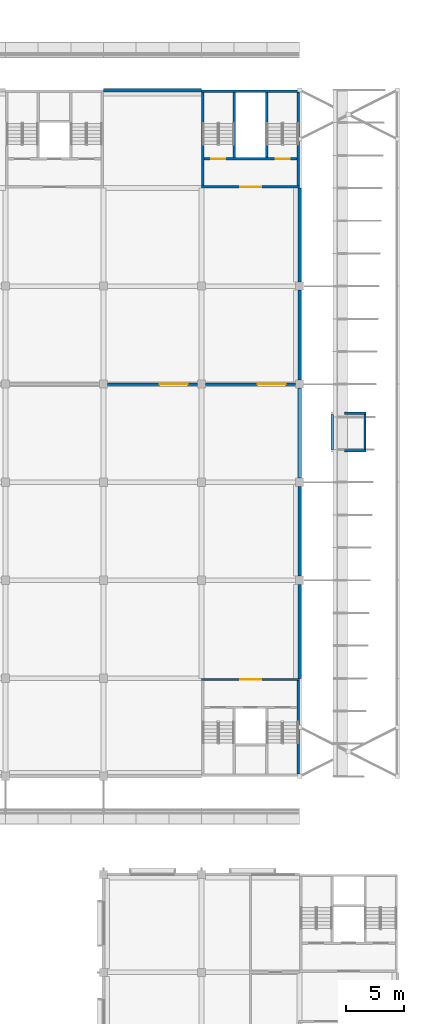
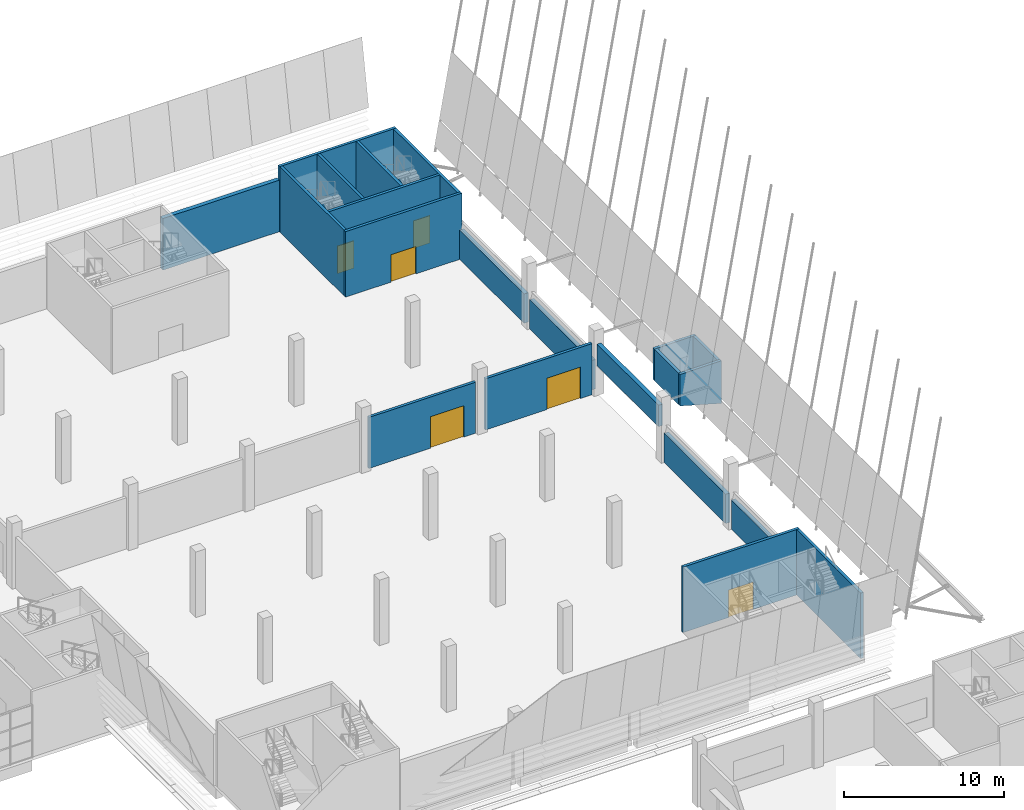
# One storey, part 28 of 82: 21 walls, 6 doors, 6 openings.
"""IFC4 building model written with IfcOpenShell, lengths in metres."""

import ifcopenshell
import ifcopenshell.guid

model = None  # the IFC model being written
_history = None  # IfcOwnerHistory: only IFC2X3 demands one
_inside = {}  # id of a spatial element -> (the spatial element, [elements in it])
_under = {}  # id of a project, library or spatial element -> (it, [spatial elements below it])
_declared = {}  # id of a project -> (the project, [libraries it declares])
_typed = {}  # id of a type object -> (the type object, [elements of that type])
_made_of = {}  # id of a material, layer set ... -> (it, [elements and type objects made of it])


def new_model(schema):
    """Start an empty IFC model of exactly this schema.

    Asked for "IFC4X3", IfcOpenShell would pick the latest addendum, in which some entities
    have other attributes; the version numbers below select the first issue.
    IFC2X3 requires an IfcOwnerHistory on every rooted entity: one is made here for all.
    """
    global model, _history
    if schema == "IFC4X3":
        model = ifcopenshell.file(schema_version=(4, 3, 0, 0))
    else:
        model = ifcopenshell.file(schema=schema)
    _inside.clear()
    _under.clear()
    _declared.clear()
    _typed.clear()
    _made_of.clear()
    _history = None
    if model.schema == "IFC2X3":
        org = make("IfcOrganization", Name="unknown")
        user = make(
            "IfcPersonAndOrganization",
            ThePerson=make("IfcPerson", FamilyName="unknown"),
            TheOrganization=org,
        )
        app = make(
            "IfcApplication",
            ApplicationDeveloper=org,
            Version="unknown",
            ApplicationFullName="unknown",
            ApplicationIdentifier="unknown",
        )
        _history = make(
            "IfcOwnerHistory",
            OwningUser=user,
            OwningApplication=app,
            ChangeAction="ADDED",
            CreationDate=0,
        )
    return model


def make(cls, **values):
    """One entity of the class cls with the attributes given. An attribute that is None is left unset."""
    return model.create_entity(
        cls, **{name: value for name, value in values.items() if value is not None}
    )


def rooted(cls, **values):
    """An entity with a GlobalId (a new one), such as an element, a storey or a relation."""
    return make(cls, GlobalId=ifcopenshell.guid.new(), OwnerHistory=_history, **values)


def si_unit(unit_type, name, prefix=None):
    """IfcSIUnit, for example si_unit("LENGTHUNIT", "METRE", prefix="MILLI")."""
    return make("IfcSIUnit", UnitType=unit_type, Prefix=prefix, Name=name)


def assignment(units):
    """IfcUnitAssignment: the units of a project."""
    return None if units is None else make("IfcUnitAssignment", Units=units)


def point(xyz):
    """IfcCartesianPoint."""
    return None if xyz is None else make("IfcCartesianPoint", Coordinates=xyz)


def direction(xyz):
    """IfcDirection."""
    return None if xyz is None else make("IfcDirection", DirectionRatios=xyz)


def frame(location, z_axis=None, x_axis=None):
    """IfcAxis2Placement3D, a coordinate frame: its origin and axes. An axis left out is left unset."""
    return make(
        "IfcAxis2Placement3D",
        Location=point(location),
        Axis=direction(z_axis),
        RefDirection=direction(x_axis),
    )


def frame_2d(location, x_axis=None):
    """IfcAxis2Placement2D, a coordinate frame in the plane: its origin and x axis."""
    return make(
        "IfcAxis2Placement2D", Location=point(location), RefDirection=direction(x_axis)
    )


def origin():
    """The frame at (0, 0, 0) with its axes left unset."""
    return frame((0.0, 0.0, 0.0))


def place(relative_to, where):
    """IfcLocalPlacement: puts the frame where relative to a parent placement (None: the world)."""
    return make(
        "IfcLocalPlacement", PlacementRelTo=relative_to, RelativePlacement=where
    )


def context(
    kind, dimensions, precision=None, world=None, true_north=None, identifier=None
):
    """IfcGeometricRepresentationContext, for example the 3D "Model" context."""
    return make(
        "IfcGeometricRepresentationContext",
        ContextIdentifier=identifier,
        ContextType=kind,
        CoordinateSpaceDimension=dimensions,
        Precision=precision,
        WorldCoordinateSystem=world,
        TrueNorth=true_north,
    )


def subcontext(parent, identifier, kind, view, scale=None):
    """IfcGeometricRepresentationSubContext, for example "Body" below "Model"."""
    return make(
        "IfcGeometricRepresentationSubContext",
        ContextIdentifier=identifier,
        ContextType=kind,
        ParentContext=parent,
        TargetScale=scale,
        TargetView=view,
    )


def project(units=None, contexts=None):
    """IfcProject with its units and contexts."""
    return rooted(
        "IfcProject",
        Name="project",
        RepresentationContexts=contexts,
        UnitsInContext=assignment(units),
    )


def spatial(cls, under=None, at=None, **own):
    """A site, building, storey or space (cls), placed at a placement, below another one or the project."""
    s = rooted(cls, ObjectPlacement=at, **own)
    if under is not None:
        _under.setdefault(under.id(), (under, []))[1].append(s)
    return s


def polyline(points):
    """IfcPolyline through the points."""
    return make("IfcPolyline", Points=[point(p) for p in points])


def profile(cls, at=None, kind="AREA", **sizes):
    """A parametric profile (cls). Its sizes go by their IFC names, for example OverallWidth=200.0."""
    return make(cls, ProfileType=kind, Position=at, **sizes)


def rectangle(**sizes):
    """IfcRectangleProfileDef."""
    return profile("IfcRectangleProfileDef", **sizes)


def outline(outer, holes=None, kind="AREA"):
    """IfcArbitraryClosedProfileDef: a profile drawn as a closed curve; with holes, ...WithVoids."""
    if holes is None:
        return make("IfcArbitraryClosedProfileDef", ProfileType=kind, OuterCurve=outer)
    return make(
        "IfcArbitraryProfileDefWithVoids",
        ProfileType=kind,
        OuterCurve=outer,
        InnerCurves=holes,
    )


def extrude(swept, where, along, depth):
    """IfcExtrudedAreaSolid: the profile swept, set in the frame where, extruded along a direction by depth."""
    return make(
        "IfcExtrudedAreaSolid",
        SweptArea=swept,
        Position=where,
        ExtrudedDirection=direction(along),
        Depth=depth,
    )


def shape(context_of_items, identifier, shape_type, items):
    """IfcShapeRepresentation: the items that make up one representation, for example the "Body"."""
    return make(
        "IfcShapeRepresentation",
        ContextOfItems=context_of_items,
        RepresentationIdentifier=identifier,
        RepresentationType=shape_type,
        Items=items,
    )


def material(Name=None, Category=None):
    """IfcMaterial."""
    return make("IfcMaterial", Name=Name, Category=Category)


def layer(
    of_material, thickness, ventilated=None, Name=None, Category=None, Priority=None
):
    """IfcMaterialLayer: one layer of a wall or slab, of a material (None: an air gap)."""
    return make(
        "IfcMaterialLayer",
        Material=of_material,
        LayerThickness=thickness,
        IsVentilated=ventilated,
        Name=Name,
        Category=Category,
        Priority=Priority,
    )


def layer_set(layers, Name=None):
    """IfcMaterialLayerSet."""
    return make("IfcMaterialLayerSet", MaterialLayers=layers, LayerSetName=Name)


def made_of(thing, what):
    """Note that an element or type object is made of a material, layer set ...; save() writes the relation."""
    if what is not None:
        _made_of.setdefault(what.id(), (what, []))[1].append(thing)
    return thing


def type_object(cls, material=None, **own):
    """A type object (cls), such as IfcWallType, which elements share."""
    return made_of(rooted(cls, **own), material)


def element(
    cls,
    number,
    at=None,
    inside=None,
    cuts=None,
    type_object=None,
    material=None,
    context=None,
    identifier="Body",
    shape_type=None,
    held_by="IfcProductDefinitionShape",
    body=None,
    shapes=None,
    **own,
):
    """One element of the class cls, such as IfcWall. Its Tag is "e" and its number.

    at: its placement. inside: the storey or other place that contains it. cuts: it is an
    opening in that element (IfcRelVoidsElement). A single representation is given by context,
    identifier, shape_type and body (its items); several are given by shapes. held_by: the class
    of the entity that holds the representations. save() writes the other relations.
    """
    e = rooted(cls, Tag="e%d" % number, ObjectPlacement=at, **own)
    if body is not None:
        shapes = [shape(context, identifier, shape_type, body)]
    if shapes is not None:
        e.Representation = make(held_by, Representations=shapes)
    if inside is not None:
        _inside.setdefault(inside.id(), (inside, []))[1].append(e)
    if cuts is not None:
        rooted(
            "IfcRelVoidsElement", RelatingBuildingElement=cuts, RelatedOpeningElement=e
        )
    if type_object is not None:
        _typed.setdefault(type_object.id(), (type_object, []))[1].append(e)
    return made_of(e, material)


def fill(opening, filler):
    """IfcRelFillsElement: the door or window that sits in an opening."""
    return rooted(
        "IfcRelFillsElement",
        RelatingOpeningElement=opening,
        RelatedBuildingElement=filler,
    )


def aggregate(whole, parts):
    """IfcRelAggregates: a whole, such as a stair, and the parts it consists of."""
    return rooted("IfcRelAggregates", RelatingObject=whole, RelatedObjects=parts)


def save(model, path):
    """Write the relations noted so far, then the file.

    IfcRelAggregates (storeys below a building ...), IfcRelContainedInSpatialStructure (elements
    in a storey), IfcRelDefinesByType, IfcRelAssociatesMaterial and IfcRelDeclares: one each for
    every whole, place, type object, material and project.
    """
    for whole, parts in _under.values():
        aggregate(whole, parts)
    for where, things in _inside.values():
        rooted(
            "IfcRelContainedInSpatialStructure",
            RelatedElements=things,
            RelatingStructure=where,
        )
    for kind, things in _typed.values():
        rooted("IfcRelDefinesByType", RelatedObjects=things, RelatingType=kind)
    for what, things in _made_of.values():
        rooted("IfcRelAssociatesMaterial", RelatedObjects=things, RelatingMaterial=what)
    for by, libraries in _declared.values():
        rooted("IfcRelDeclares", RelatingContext=by, RelatedDefinitions=libraries)
    model.write(path)


model = new_model("IFC4")

# Units and contexts
model_context = context("Model", 3, precision=1e-05, world=origin(), true_north=direction((0.0, 1.0)))
body_context = subcontext(model_context, "Body", "Model", "MODEL_VIEW")
ifc_project = project(units=[si_unit("LENGTHUNIT", "METRE"), si_unit("AREAUNIT", "SQUARE_METRE"), si_unit("VOLUMEUNIT", "CUBIC_METRE"), si_unit("PLANEANGLEUNIT", "RADIAN"), si_unit("MASSUNIT", "GRAM", prefix="KILO")], contexts=[model_context])

# Site, building, storey
site_placement = place(None, origin())
site = spatial("IfcSite", under=ifc_project, at=site_placement, CompositionType="ELEMENT")
building_placement = place(site_placement, origin())
building = spatial("IfcBuilding", under=site, at=building_placement, Name="Almond Square Museum", CompositionType="ELEMENT")
storey_placement = place(building_placement, frame((0.0, 0.0, 20.0)))
storey = spatial("IfcBuildingStorey", under=building, at=storey_placement, Name="L03", CompositionType="ELEMENT", Elevation=20.0)

# Walls
ifc_material_1 = material(Name="Concrete C30/37", Category="concrete")
ifc_layer_1 = layer(ifc_material_1, 0.300048828125)
ifc_layer_set_1 = layer_set([ifc_layer_1], Name="Concrete C30/37")
wall_type_1 = type_object("IfcWallType", Name="Cast concrete wall 300 C30/37 behind louvre skin", PredefinedType="SOLIDWALL", material=ifc_layer_set_1)
wall_1_placement = place(storey_placement, frame((148.800048828125, 58.800048828125, 0.0), z_axis=(0.0, 0.0, 1.0), x_axis=(0.0, 1.0, 0.0)))
element("IfcWall", 1, at=wall_1_placement, inside=storey, type_object=wall_type_1, Name="External wall W1 V1 L03 E01", PredefinedType="SOLIDWALL", context=body_context, shape_type="SweptSolid", body=[
    extrude(rectangle(XDim=8.050048828125, YDim=0.300048828125, at=frame_2d((4.02490234375, 0.0))), origin(), (0.0, 0.0, 1.0), 2.2421875),
])
wall_2_placement = place(storey_placement, frame((148.800048828125, 67.550048828125, 0.0), z_axis=(0.0, 0.0, 1.0), x_axis=(0.0, 1.0, 0.0)))
element("IfcWall", 2, at=wall_2_placement, inside=storey, type_object=wall_type_1, Name="External wall W1 V1 L03 E02", PredefinedType="SOLIDWALL", context=body_context, shape_type="SweptSolid", body=[
    extrude(rectangle(XDim=7.699951171875, YDim=0.300048828125, at=frame_2d((3.85009765625, 0.0))), origin(), (0.0, 0.0, 1.0), 2.2421875),
])
wall_3_placement = place(storey_placement, frame((148.800048828125, 75.949951171875, 2.300048828125), z_axis=(0.0, 0.0, 1.0), x_axis=(0.0, 1.0, 0.0)))
element("IfcWall", 3, at=wall_3_placement, inside=storey, type_object=wall_type_1, Name="External wall W1 V1 L03 E03", PredefinedType="SOLIDWALL", context=body_context, shape_type="SweptSolid", body=[
    extrude(rectangle(XDim=7.699951171875, YDim=0.300048828125, at=frame_2d((3.85009765625, 0.0))), origin(), (0.0, 0.0, 1.0), 1.639892578125),
])
wall_4_placement = place(storey_placement, frame((148.800048828125, 84.35009765625, 0.0), z_axis=(0.0, 0.0, 1.0), x_axis=(0.0, 1.0, 0.0)))
element("IfcWall", 4, at=wall_4_placement, inside=storey, type_object=wall_type_1, Name="External wall W1 V1 L03 E04", PredefinedType="SOLIDWALL", context=body_context, shape_type="SweptSolid", body=[
    extrude(rectangle(XDim=7.699951171875, YDim=0.300048828125, at=frame_2d((3.85009765625, 0.0))), origin(), (0.0, 0.0, 1.0), 2.2421875),
])
wall_5_placement = place(storey_placement, frame((148.800048828125, 92.75, 0.0), z_axis=(0.0, 0.0, 1.0), x_axis=(0.0, 1.0, 0.0)))
element("IfcWall", 5, at=wall_5_placement, inside=storey, type_object=wall_type_1, Name="External wall W1 V1 L03 E05", PredefinedType="SOLIDWALL", context=body_context, shape_type="SweptSolid", body=[
    extrude(rectangle(XDim=8.050048828125, YDim=0.300048828125, at=frame_2d((4.02490234375, 0.0))), origin(), (0.0, 0.0, 1.0), 2.2421875),
])
wall_6_placement = place(storey_placement, frame((132.0, 109.199951171875, 0.0), z_axis=(0.0, 0.0, 1.0), x_axis=(1.0, 0.0, 0.0)))
element("IfcWall", 6, at=wall_6_placement, inside=storey, type_object=wall_type_1, Name="External wall W1 V1 L03 N01", PredefinedType="SOLIDWALL", context=body_context, shape_type="SweptSolid", body=[
    extrude(rectangle(XDim=8.39990234375, YDim=0.300048828125, at=frame_2d((4.199951171875, 0.0))), origin(), (0.0, 0.0, 1.0), 3.93994140625),
])

# Wall, opening, door
ifc_material_2 = material(Name="Painted gypsum board on steel stud", Category="steel")
ifc_layer_2 = layer(ifc_material_2, 0.199951171875)
ifc_layer_set_2 = layer_set([ifc_layer_2], Name="Painted gypsum board on steel stud")
wall_type_2 = type_object("IfcWallType", Name="Gallery wall 200 painted board on stud", PredefinedType="PARTITIONING", material=ifc_layer_set_2)
wall_7_placement = place(storey_placement, frame((132.35009765625, 84.0, 0.0), z_axis=(0.0, 0.0, 1.0), x_axis=(1.0, 0.0, 0.0)))
wall_7 = element("IfcWall", 7, at=wall_7_placement, inside=storey, type_object=wall_type_2, Name="L03 partition 16", PredefinedType="PARTITIONING", context=body_context, shape_type="SweptSolid", body=[
    extrude(rectangle(XDim=7.699951171875, YDim=0.199951171875, at=frame_2d((3.85009765625, 0.0))), origin(), (0.0, 0.0, 1.0), 3.89990234375),
])
opening_1_placement = place(wall_7_placement, frame((4.449951171875, 0.0, 0.0)))
opening_1 = element("IfcOpeningElement", 8, at=opening_1_placement, cuts=wall_7, Name="Opening D3133", PredefinedType="OPENING", context=body_context, shape_type="SweptSolid", body=[
    extrude(rectangle(XDim=2.39990234375, YDim=2.39990234375, at=frame_2d((1.199951171875, 1.199951171875))), frame((0.0, 0.10986328125, 0.0), z_axis=(0.0, -1.0, 0.0), x_axis=(1.0, 0.0, 0.0)), (0.0, 0.0, 1.0), 0.219970703125),
])
ifc_material_3 = material(Name="Timber", Category="wood")
door_type_1 = type_object("IfcDoorType", Name="Gallery door 2400 x 2400 timber double", OperationType="NOTDEFINED", PredefinedType="DOOR", material=ifc_material_3)
door_1_placement = place(opening_1_placement, origin())
door_1 = element("IfcDoor", 9, at=door_1_placement, inside=storey, type_object=door_type_1, Name="L03 door Contemporary Gallery to Design Gallery", OperationType="DOUBLE_DOOR_SINGLE_SWING", OverallHeight=2.39990234375, OverallWidth=2.39990234375, PredefinedType="DOOR", context=body_context, shape_type="SweptSolid", body=[
    extrude(rectangle(XDim=2.39990234375, YDim=2.39990234375, at=frame_2d((1.199951171875, 1.199951171875))), frame((0.0, 0.02490234375, 0.0), z_axis=(0.0, -1.0, 0.0), x_axis=(1.0, 0.0, 0.0)), (0.0, 0.0, 1.0), 0.050048828125),
])
fill(opening_1, door_1)

wall_8_placement = place(storey_placement, frame((140.75, 84.0, 0.0), z_axis=(0.0, 0.0, 1.0), x_axis=(1.0, 0.0, 0.0)))
wall_8 = element("IfcWall", 10, at=wall_8_placement, inside=storey, type_object=wall_type_2, Name="L03 partition 17", PredefinedType="PARTITIONING", context=body_context, shape_type="SweptSolid", body=[
    extrude(rectangle(XDim=7.699951171875, YDim=0.199951171875, at=frame_2d((3.85009765625, 0.0))), origin(), (0.0, 0.0, 1.0), 3.89990234375),
])
opening_2_placement = place(wall_8_placement, frame((4.449951171875, 0.0, 0.0)))
opening_2 = element("IfcOpeningElement", 11, at=opening_2_placement, cuts=wall_8, Name="Opening D3134", PredefinedType="OPENING", context=body_context, shape_type="SweptSolid", body=[
    extrude(rectangle(XDim=2.39990234375, YDim=2.39990234375, at=frame_2d((1.199951171875, 1.199951171875))), frame((0.0, 0.10986328125, 0.0), z_axis=(0.0, -1.0, 0.0), x_axis=(1.0, 0.0, 0.0)), (0.0, 0.0, 1.0), 0.219970703125),
])
door_2_placement = place(opening_2_placement, origin())
door_2 = element("IfcDoor", 12, at=door_2_placement, inside=storey, type_object=door_type_1, Name="L03 door Contemporary Gallery to Design Gallery", OperationType="DOUBLE_DOOR_SINGLE_SWING", OverallHeight=2.39990234375, OverallWidth=2.39990234375, PredefinedType="DOOR", context=body_context, shape_type="SweptSolid", body=[
    extrude(rectangle(XDim=2.39990234375, YDim=2.39990234375, at=frame_2d((1.199951171875, 1.199951171875))), frame((0.0, 0.02490234375, 0.0), z_axis=(0.0, -1.0, 0.0), x_axis=(1.0, 0.0, 0.0)), (0.0, 0.0, 1.0), 0.050048828125),
])
fill(opening_2, door_2)

# Walls
ifc_material_4 = material(Name="Concrete C40/50", Category="concrete")
ifc_layer_3 = layer(ifc_material_4, 0.199951171875)
ifc_layer_set_3 = layer_set([ifc_layer_3], Name="Concrete C40/50")
wall_type_3 = type_object("IfcWallType", Name="RC lift machine room wall 200 C40/50", PredefinedType="SOLIDWALL", material=ifc_layer_set_3)
for number, where, z_axis, x_axis, name in (
    (13, (151.5, 78.300048828125, 0.672607421875), (0.0, 0.0, 1.0), (1.0, 0.0, 0.0), "Lift machine room E1 south wall"),
    (14, (151.5, 81.5, 0.672607421875), (0.0, 0.0, 1.0), (1.0, 0.0, 0.0), "Lift machine room E1 north wall"),
):
    element("IfcWall", number, at=place(storey_placement, frame(where, z_axis=z_axis, x_axis=x_axis)), inside=storey, type_object=wall_type_3, Name=name, PredefinedType="SOLIDWALL", context=body_context, shape_type="SweptSolid", body=[
        extrude(outline(polyline([(0.0, 0.85595703125), (3.0, -0.001220703125), (3.0, 3.2548828125), (0.0, 3.2548828125), (0.0, 0.85595703125)])), frame((0.0, 0.10009765625, 0.0), z_axis=(0.0, -1.0, 0.0), x_axis=(1.0, 0.0, 0.0)), (0.0, 0.0, 1.0), 0.199951171875),
    ])
wall_9_placement = place(storey_placement, frame((151.60009765625, 78.39990234375, 1.5), z_axis=(0.0, 0.0, 1.0), x_axis=(0.0, 1.0, 0.0)))
element("IfcWall", 15, at=wall_9_placement, inside=storey, type_object=wall_type_3, Name="Lift machine room E1 west wall", PredefinedType="SOLIDWALL", context=body_context, shape_type="SweptSolid", body=[
    extrude(rectangle(XDim=3.0, YDim=0.199951171875, at=frame_2d((1.5, 0.0))), origin(), (0.0, 0.0, 1.0), 2.427490234375),
])
wall_10_placement = place(storey_placement, frame((154.39990234375, 78.39990234375, 0.699951171875), z_axis=(0.0, 0.0, 1.0), x_axis=(0.0, 1.0, 0.0)))
element("IfcWall", 16, at=wall_10_placement, inside=storey, type_object=wall_type_3, Name="Lift machine room E1 east wall", PredefinedType="SOLIDWALL", context=body_context, shape_type="SweptSolid", body=[
    extrude(rectangle(XDim=3.0, YDim=0.199951171875, at=frame_2d((1.5, 0.0))), origin(), (0.0, 0.0, 1.0), 3.2275390625),
])

# Wall, opening, door
ifc_material_5 = material(Name="Concrete C40/50", Category="concrete")
ifc_layer_4 = layer(ifc_material_5, 0.199951171875)
ifc_layer_set_4 = layer_set([ifc_layer_4], Name="Concrete C40/50")
wall_type_4 = type_object("IfcWallType", Name="RC shear wall 200 C40/50", PredefinedType="SHEAR", material=ifc_layer_set_4)
wall_11_placement = place(storey_placement, frame((140.39990234375, 58.699951171875, 0.0), z_axis=(0.0, 0.0, 1.0), x_axis=(1.0, 0.0, 0.0)))
wall_11 = element("IfcWall", 17, at=wall_11_placement, inside=storey, type_object=wall_type_4, Name="Core H2 north wall L03", PredefinedType="SHEAR", context=body_context, shape_type="SweptSolid", body=[
    extrude(rectangle(XDim=8.400146484375, YDim=0.199951171875, at=frame_2d((4.2001953125, 0.0))), origin(), (0.0, 0.0, 1.0), 5.0),
])
opening_3_placement = place(wall_11_placement, frame((3.300048828125, 0.0, 0.0)))
opening_3 = element("IfcOpeningElement", 18, at=opening_3_placement, cuts=wall_11, Name="Opening D3139", PredefinedType="OPENING", context=body_context, shape_type="SweptSolid", body=[
    extrude(rectangle(XDim=1.800048828125, YDim=2.10009765625, at=frame_2d((0.89990234375, 1.050048828125))), frame((0.0, 0.10986328125, 0.0), z_axis=(0.0, -1.0, 0.0), x_axis=(1.0, 0.0, 0.0)), (0.0, 0.0, 1.0), 0.219970703125),
])
ifc_material_6 = material(Name="Steel", Category="steel")
door_type_2 = type_object("IfcDoorType", Name="Fire door 1800 x 2100 FD60 double", OperationType="NOTDEFINED", PredefinedType="DOOR", material=ifc_material_6)
door_3_placement = place(opening_3_placement, origin())
door_3 = element("IfcDoor", 19, at=door_3_placement, inside=storey, type_object=door_type_2, Name="L03 stair core H2 lobby door", OperationType="DOUBLE_DOOR_SINGLE_SWING", OverallHeight=2.10009765625, OverallWidth=1.800048828125, PredefinedType="DOOR", context=body_context, shape_type="SweptSolid", body=[
    extrude(rectangle(XDim=1.800048828125, YDim=2.10009765625, at=frame_2d((0.89990234375, 1.050048828125))), frame((0.0, 0.02490234375, 0.0), z_axis=(0.0, -1.0, 0.0), x_axis=(1.0, 0.0, 0.0)), (0.0, 0.0, 1.0), 0.050048828125),
])
fill(opening_3, door_3)

# Wall
wall_12_placement = place(storey_placement, frame((148.699951171875, 50.60009765625, 0.0), z_axis=(0.0, 0.0, 1.0), x_axis=(0.0, 1.0, 0.0)))
element("IfcWall", 20, at=wall_12_placement, inside=storey, type_object=wall_type_4, Name="Core H2 east wall L03", PredefinedType="SHEAR", context=body_context, shape_type="SweptSolid", body=[
    extrude(rectangle(XDim=8.0, YDim=0.199951171875, at=frame_2d((4.0, 0.0))), origin(), (0.0, 0.0, 1.0), 5.0),
])

# Wall, opening, door
wall_13_placement = place(storey_placement, frame((140.39990234375, 100.89990234375, 0.0), z_axis=(0.0, 0.0, 1.0), x_axis=(1.0, 0.0, 0.0)))
wall_13 = element("IfcWall", 21, at=wall_13_placement, inside=storey, type_object=wall_type_4, Name="Core H3 south wall L03", PredefinedType="SHEAR", context=body_context, shape_type="SweptSolid", body=[
    extrude(rectangle(XDim=8.400146484375, YDim=0.199951171875, at=frame_2d((4.2001953125, 0.0))), origin(), (0.0, 0.0, 1.0), 5.0),
])
opening_4_placement = place(wall_13_placement, frame((3.300048828125, 0.0, 0.0)))
opening_4 = element("IfcOpeningElement", 22, at=opening_4_placement, cuts=wall_13, Name="Opening D3143", PredefinedType="OPENING", context=body_context, shape_type="SweptSolid", body=[
    extrude(rectangle(XDim=1.800048828125, YDim=2.10009765625, at=frame_2d((0.89990234375, 1.050048828125))), frame((0.0, 0.10986328125, 0.0), z_axis=(0.0, -1.0, 0.0), x_axis=(1.0, 0.0, 0.0)), (0.0, 0.0, 1.0), 0.219970703125),
])
door_4_placement = place(opening_4_placement, origin())
door_4 = element("IfcDoor", 23, at=door_4_placement, inside=storey, type_object=door_type_2, Name="L03 stair core H3 lobby door", OperationType="DOUBLE_DOOR_SINGLE_SWING", OverallHeight=2.10009765625, OverallWidth=1.800048828125, PredefinedType="DOOR", context=body_context, shape_type="SweptSolid", body=[
    extrude(rectangle(XDim=1.800048828125, YDim=2.10009765625, at=frame_2d((0.89990234375, 1.050048828125))), frame((0.0, 0.02490234375, 0.0), z_axis=(0.0, -1.0, 0.0), x_axis=(1.0, 0.0, 0.0)), (0.0, 0.0, 1.0), 0.050048828125),
])
fill(opening_4, door_4)

# Walls
wall_14_placement = place(storey_placement, frame((140.39990234375, 109.10009765625, 0.0), z_axis=(0.0, 0.0, 1.0), x_axis=(1.0, 0.0, 0.0)))
element("IfcWall", 24, at=wall_14_placement, inside=storey, type_object=wall_type_4, Name="Core H3 north wall L03", PredefinedType="SHEAR", context=body_context, shape_type="SweptSolid", body=[
    extrude(rectangle(XDim=8.400146484375, YDim=0.199951171875, at=frame_2d((4.2001953125, 0.0))), origin(), (0.0, 0.0, 1.0), 5.0),
])
for number, where, z_axis, x_axis, name in (
    (25, (140.5, 101.0, 0.0), (0.0, 0.0, 1.0), (0.0, 1.0, 0.0), "Core H3 west wall L03"),
    (26, (148.699951171875, 101.0, 0.0), (0.0, 0.0, 1.0), (0.0, 1.0, 0.0), "Core H3 east wall L03"),
):
    element("IfcWall", number, at=place(storey_placement, frame(where, z_axis=z_axis, x_axis=x_axis)), inside=storey, type_object=wall_type_4, Name=name, PredefinedType="SHEAR", context=body_context, shape_type="SweptSolid", body=[
        extrude(rectangle(XDim=8.0, YDim=0.199951171875, at=frame_2d((4.0, 0.0))), origin(), (0.0, 0.0, 1.0), 5.0),
    ])

# Wall, openings, doors
wall_15_placement = place(storey_placement, frame((140.60009765625, 103.300048828125, 0.0), z_axis=(0.0, 0.0, 1.0), x_axis=(1.0, 0.0, 0.0)))
wall_15 = element("IfcWall", 27, at=wall_15_placement, inside=storey, type_object=wall_type_4, Name="Core H3 lobby wall L03", PredefinedType="SHEAR", context=body_context, shape_type="SweptSolid", body=[
    extrude(rectangle(XDim=8.0, YDim=0.199951171875, at=frame_2d((4.0, 0.0))), origin(), (0.0, 0.0, 1.0), 5.0),
])
opening_5_placement = place(wall_15_placement, frame((0.64990234375, 0.0, 0.0)))
opening_5 = element("IfcOpeningElement", 28, at=opening_5_placement, cuts=wall_15, Name="Opening D3144", PredefinedType="OPENING", context=body_context, shape_type="SweptSolid", body=[
    extrude(rectangle(XDim=1.199951171875, YDim=2.10009765625, at=frame_2d((0.60009765625, 1.050048828125))), frame((0.0, 0.10986328125, 0.0), z_axis=(0.0, -1.0, 0.0), x_axis=(1.0, 0.0, 0.0)), (0.0, 0.0, 1.0), 0.219970703125),
])
opening_6_placement = place(wall_15_placement, frame((6.14990234375, 0.0, 0.0)))
opening_6 = element("IfcOpeningElement", 29, at=opening_6_placement, cuts=wall_15, Name="Opening D3145", PredefinedType="OPENING", context=body_context, shape_type="SweptSolid", body=[
    extrude(rectangle(XDim=1.199951171875, YDim=2.10009765625, at=frame_2d((0.60009765625, 1.050048828125))), frame((0.0, 0.10986328125, 0.0), z_axis=(0.0, -1.0, 0.0), x_axis=(1.0, 0.0, 0.0)), (0.0, 0.0, 1.0), 0.219970703125),
])
ifc_material_7 = material(Name="Steel", Category="steel")
door_type_3 = type_object("IfcDoorType", Name="Fire door 1200 x 2100 FD120 stair", OperationType="NOTDEFINED", PredefinedType="DOOR", material=ifc_material_7)
door_5_placement = place(opening_5_placement, origin())
door_5 = element("IfcDoor", 30, at=door_5_placement, inside=storey, type_object=door_type_3, Name="L03 stair H3-1 door", OperationType="SINGLE_SWING_LEFT", OverallHeight=2.10009765625, OverallWidth=1.199951171875, PredefinedType="DOOR", context=body_context, shape_type="SweptSolid", body=[
    extrude(rectangle(XDim=1.199951171875, YDim=2.10009765625, at=frame_2d((0.60009765625, 1.050048828125))), frame((0.0, 0.02490234375, 0.0), z_axis=(0.0, -1.0, 0.0), x_axis=(1.0, 0.0, 0.0)), (0.0, 0.0, 1.0), 0.050048828125),
])
fill(opening_5, door_5)
door_6_placement = place(opening_6_placement, origin())
door_6 = element("IfcDoor", 31, at=door_6_placement, inside=storey, type_object=door_type_3, Name="L03 stair H3-2 door", OperationType="SINGLE_SWING_RIGHT", OverallHeight=2.10009765625, OverallWidth=1.199951171875, PredefinedType="DOOR", context=body_context, shape_type="SweptSolid", body=[
    extrude(rectangle(XDim=1.199951171875, YDim=2.10009765625, at=frame_2d((0.60009765625, 1.050048828125))), frame((0.0, 0.02490234375, 0.0), z_axis=(0.0, -1.0, 0.0), x_axis=(1.0, 0.0, 0.0)), (0.0, 0.0, 1.0), 0.050048828125),
])
fill(opening_6, door_6)

# Walls
for number, where, z_axis, x_axis, name in (
    (32, (143.199951171875, 103.39990234375, 0.0), (0.0, 0.0, 1.0), (0.0, 1.0, 0.0), "Core H3 partition wall L03"),
    (33, (146.0, 103.39990234375, 0.0), (0.0, 0.0, 1.0), (0.0, 1.0, 0.0), "Core H3 partition wall L03"),
):
    element("IfcWall", number, at=place(storey_placement, frame(where, z_axis=z_axis, x_axis=x_axis)), inside=storey, type_object=wall_type_4, Name=name, PredefinedType="SHEAR", context=body_context, shape_type="SweptSolid", body=[
        extrude(rectangle(XDim=5.60009765625, YDim=0.199951171875, at=frame_2d((2.800048828125, 0.0))), origin(), (0.0, 0.0, 1.0), 5.0),
    ])

save(model, "model.ifc")
